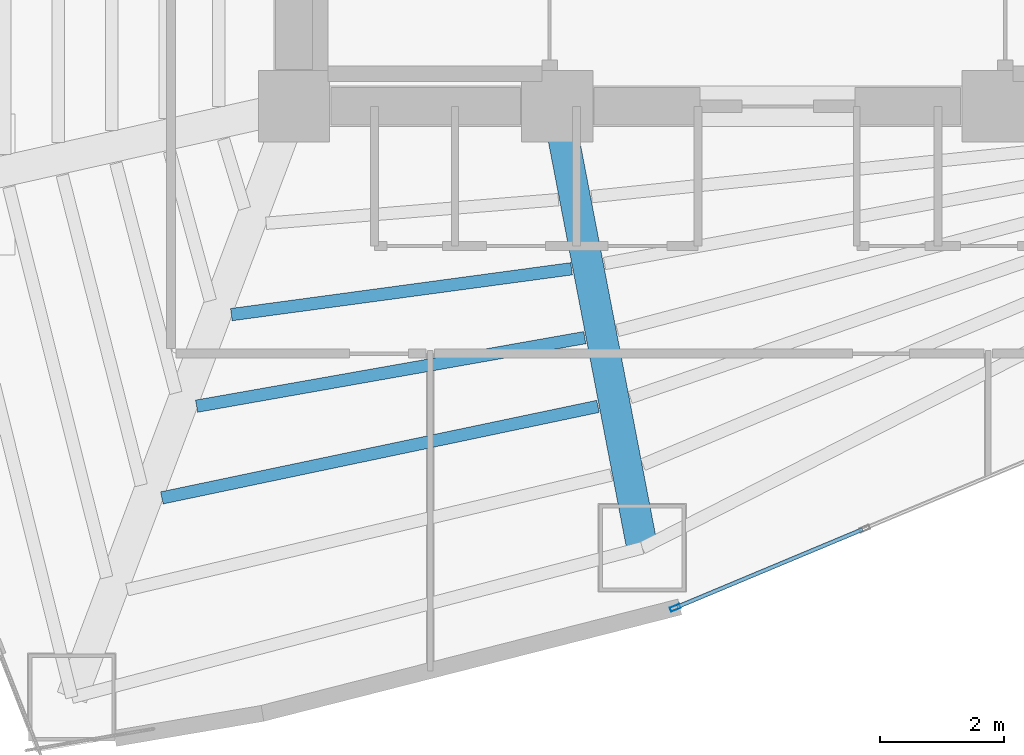
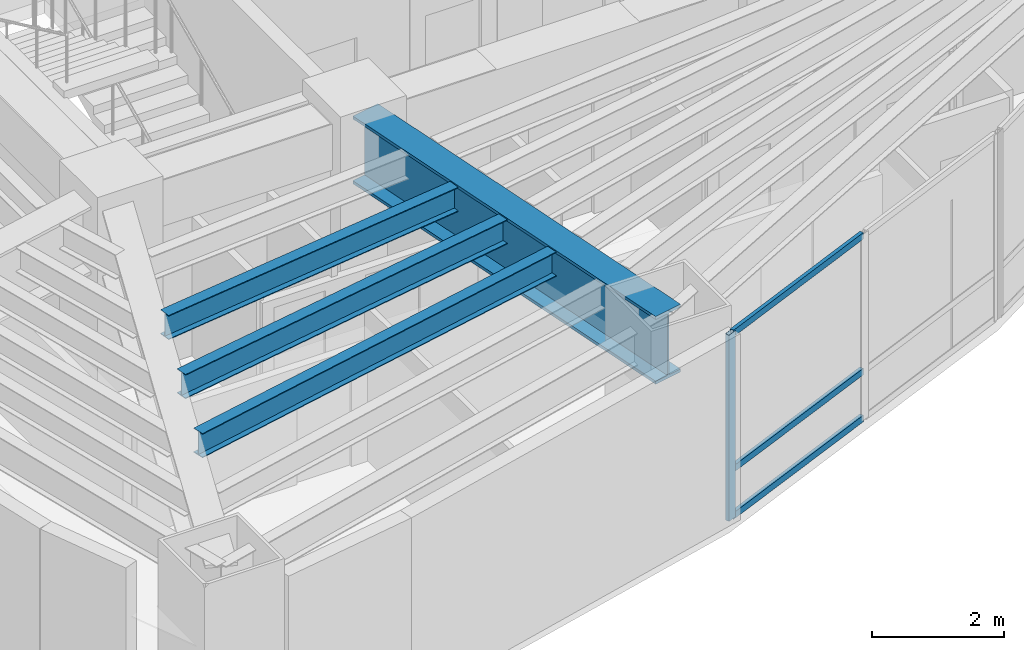
# One storey, part 2 of 18: 4 beams, 4 members, 1 element without a shape of its own.
"""IFC4 building model written with IfcOpenShell, lengths in metres."""

from ifc_helpers import new_model, si_unit, direction, frame, origin, origin_2d, place, context, subcontext, project, spatial, hollow_rectangle, i_section, extrude, material, layer, layer_set, material_profile, profile_set, type_object, element, aggregate, save


model = new_model("IFC4")

# Units and contexts
model_context = context("Model", 3, precision=1e-05, world=origin(), true_north=direction((0.0, 1.0)))
body_context = subcontext(model_context, "Body", "Model", "MODEL_VIEW")
ifc_project = project(units=[si_unit("LENGTHUNIT", "METRE"), si_unit("AREAUNIT", "SQUARE_METRE"), si_unit("VOLUMEUNIT", "CUBIC_METRE"), si_unit("PLANEANGLEUNIT", "RADIAN"), si_unit("MASSUNIT", "GRAM", prefix="KILO")], contexts=[model_context])

# Site, building, storey
site_placement = place(None, origin())
site = spatial("IfcSite", under=ifc_project, at=site_placement, CompositionType="ELEMENT")
building_placement = place(site_placement, origin())
building = spatial("IfcBuilding", under=site, at=building_placement, Name="Menara Vayukalpa", CompositionType="ELEMENT")
storey_placement = place(building_placement, frame((0.0, 0.0, 53.639892578125)))
storey = spatial("IfcBuildingStorey", under=building, at=storey_placement, Name="L12", CompositionType="ELEMENT", Elevation=53.639892578125)

# Beams
ifc_material_1 = material(Name="Steel S355", Category="steel")
ifc_material_profile_1 = material_profile(ifc_material_1, i_section(OverallWidth=0.199951171875, OverallDepth=0.449951171875, WebThickness=0.009033203125, FlangeThickness=0.013916015625, at=origin_2d()), Name="WF 450x200x9x14")
ifc_profile_set_1 = profile_set([ifc_material_profile_1], Name="Steel S355")
beam_type_1 = type_object("IfcBeamType", Name="BM-SJ1", PredefinedType="JOIST", material=ifc_profile_set_1)
beam_1_placement = place(storey_placement, frame((16.79150390625, 13.840087890625, 3.215087890625), z_axis=(0.991030817188, 0.133633526421, 0.0), x_axis=(-0.133633526421, 0.991030817188, 0.0)))
element("IfcBeam", 1, at=beam_1_placement, inside=storey, type_object=beam_type_1, Name="L12 Secondary Floor Joist SJ07-2", PredefinedType="JOIST", context=body_context, shape_type="SweptSolid", body=[
    extrude(i_section(OverallWidth=0.199951171875, OverallDepth=0.449951171875, WebThickness=0.009033203125, FlangeThickness=0.013916015625, at=origin_2d()), origin(), (0.0, 0.0, 1.0), 5.537353515625),
])
beam_2_placement = place(storey_placement, frame((16.230712890625, 12.36279296875, 3.215087890625), z_axis=(0.984751460424, 0.173967126762, 0.0), x_axis=(-0.173967126762, 0.984751460424, 0.0)))
element("IfcBeam", 2, at=beam_2_placement, inside=storey, type_object=beam_type_1, Name="L12 Secondary Floor Joist SJ07-3", PredefinedType="JOIST", context=body_context, shape_type="SweptSolid", body=[
    extrude(i_section(OverallWidth=0.199951171875, OverallDepth=0.449951171875, WebThickness=0.009033203125, FlangeThickness=0.013916015625, at=origin_2d()), origin(), (0.0, 0.0, 1.0), 6.358642578125),
])
beam_3_placement = place(storey_placement, frame((15.669921875, 10.88330078125, 3.215087890625), z_axis=(0.978672481138, 0.205426810965, 0.0), x_axis=(-0.205426810965, 0.978672481138, 0.0)))
element("IfcBeam", 3, at=beam_3_placement, inside=storey, type_object=beam_type_1, Name="L12 Secondary Floor Joist SJ07-4", PredefinedType="JOIST", context=body_context, shape_type="SweptSolid", body=[
    extrude(i_section(OverallWidth=0.199951171875, OverallDepth=0.449951171875, WebThickness=0.009033203125, FlangeThickness=0.013916015625, at=origin_2d()), origin(), (0.0, 0.0, 1.0), 7.18896484375),
])
ifc_material_2 = material(Name="Steel S460", Category="steel")
ifc_material_profile_2 = material_profile(ifc_material_2, i_section(OverallWidth=0.5, OverallDepth=1.25, WebThickness=0.028076171875, FlangeThickness=0.054931640625, at=origin_2d()), Name="WG 1250x500x28x55")
ifc_profile_set_2 = profile_set([ifc_material_profile_2], Name="Steel S460")
beam_type_2 = type_object("IfcBeamType", Name="BM-TG2", PredefinedType="BEAM", material=ifc_profile_set_2)
beam_4_placement = place(storey_placement, frame((22.09716796875, 16.95458984375, 2.815185546875), z_axis=(0.188803432672, -0.982014899995, 0.0), x_axis=(0.982014899995, 0.188803432672, 0.0)))
element("IfcBeam", 4, at=beam_4_placement, inside=storey, type_object=beam_type_2, Name="L12 Primary Radial Girder RG08", PredefinedType="BEAM", context=body_context, shape_type="SweptSolid", body=[
    extrude(i_section(OverallWidth=0.5, OverallDepth=1.25, WebThickness=0.028076171875, FlangeThickness=0.054931640625, at=origin_2d()), origin(), (0.0, 0.0, 1.0), 7.00341796875),
])

# Curtain wall, members
ifc_material_3 = material(Name="Anodised Terracotta Aluminium Alloy 6063-T6", Category="masonry")
ifc_layer = layer(ifc_material_3, 0.1650390625)
ifc_layer_set = layer_set([ifc_layer], Name="Anodised Terracotta Aluminium Alloy 6063-T6")
curtain_wall_type = type_object("IfcCurtainWallType", Name="CW-CW2", PredefinedType="USERDEFINED", material=ifc_layer_set)
curtain_wall_placement = place(storey_placement, origin())
curtain_wall = element("IfcCurtainWall", 5, at=curtain_wall_placement, inside=storey, type_object=curtain_wall_type, Name="L12 Low Rise Terracotta Ribbon Curtain Wall CW2 16", ObjectType="UNITISED", PredefinedType="USERDEFINED")
ifc_material_4 = material(Name="Anodised Terracotta Aluminium Alloy 6063-T6", Category="masonry")
ifc_material_profile_3 = material_profile(ifc_material_4, hollow_rectangle(XDim=0.070068359375, YDim=0.1650390625, WallThickness=0.00390625, at=origin_2d()), Name="ALU 70x165x4")
ifc_profile_set_3 = profile_set([ifc_material_profile_3], Name="Anodised Terracotta Aluminium Alloy 6063-T6")
member_type_1 = type_object("IfcMemberType", Name="CWM-CW2", PredefinedType="MULLION", material=ifc_profile_set_3)
member_1_placement = place(storey_placement, frame((23.950927734375, 9.110595703125, 0.0), z_axis=(0.0, 0.0, 1.0), x_axis=(-0.385895120445, 0.922542658101, 0.0)))
member_1 = element("IfcMember", 6, at=member_1_placement, type_object=member_type_1, Name="CW2 mullion 1", PredefinedType="MULLION", context=body_context, shape_type="SweptSolid", body=[
    extrude(hollow_rectangle(XDim=0.070068359375, YDim=0.1650390625, WallThickness=0.00390625, at=origin_2d()), origin(), (0.0, 0.0, 1.0), 3.440185546875),
])
ifc_material_5 = material(Name="Anodised Terracotta Aluminium Alloy 6063-T6", Category="masonry")
ifc_material_profile_4 = material_profile(ifc_material_5, hollow_rectangle(XDim=0.06494140625, YDim=0.1201171875, WallThickness=0.00341796875, at=origin_2d()), Name="ALU 65x120x3.5")
ifc_profile_set_4 = profile_set([ifc_material_profile_4], Name="Anodised Terracotta Aluminium Alloy 6063-T6")
member_type_2 = type_object("IfcMemberType", Name="CWT-CW2", PredefinedType="USERDEFINED", material=ifc_profile_set_4)
member_2_placement = place(storey_placement, frame((23.983154296875, 9.1240234375, 0.03271484375), z_axis=(0.922552588381, 0.385871379699, 0.0), x_axis=(-0.385871379699, 0.922552588381, 0.0)))
member_2 = element("IfcMember", 7, at=member_2_placement, type_object=member_type_2, Name="CW2 transom 1.1", ObjectType="TRANSOM", PredefinedType="USERDEFINED", context=body_context, shape_type="SweptSolid", body=[
    extrude(hollow_rectangle(XDim=0.06494140625, YDim=0.1201171875, WallThickness=0.00341796875, at=origin_2d()), origin(), (0.0, 0.0, 1.0), 3.24267578125),
])
member_3_placement = place(storey_placement, frame((23.983154296875, 9.1240234375, 0.900146484375), z_axis=(0.922552588381, 0.385871379699, 0.0), x_axis=(-0.385871379699, 0.922552588381, 0.0)))
member_3 = element("IfcMember", 8, at=member_3_placement, type_object=member_type_2, Name="CW2 transom 1.2", ObjectType="TRANSOM", PredefinedType="USERDEFINED", context=body_context, shape_type="SweptSolid", body=[
    extrude(hollow_rectangle(XDim=0.06494140625, YDim=0.1201171875, WallThickness=0.00341796875, at=origin_2d()), origin(), (0.0, 0.0, 1.0), 3.24267578125),
])
member_4_placement = place(storey_placement, frame((23.983154296875, 9.1240234375, 3.40771484375), z_axis=(0.922552588381, 0.385871379699, 0.0), x_axis=(-0.385871379699, 0.922552588381, 0.0)))
member_4 = element("IfcMember", 9, at=member_4_placement, type_object=member_type_2, Name="CW2 transom 1.3", ObjectType="TRANSOM", PredefinedType="USERDEFINED", context=body_context, shape_type="SweptSolid", body=[
    extrude(hollow_rectangle(XDim=0.06494140625, YDim=0.1201171875, WallThickness=0.00341796875, at=origin_2d()), origin(), (0.0, 0.0, 1.0), 3.24267578125),
])
aggregate(curtain_wall, [member_1, member_2, member_3, member_4])

save(model, "model.ifc")
